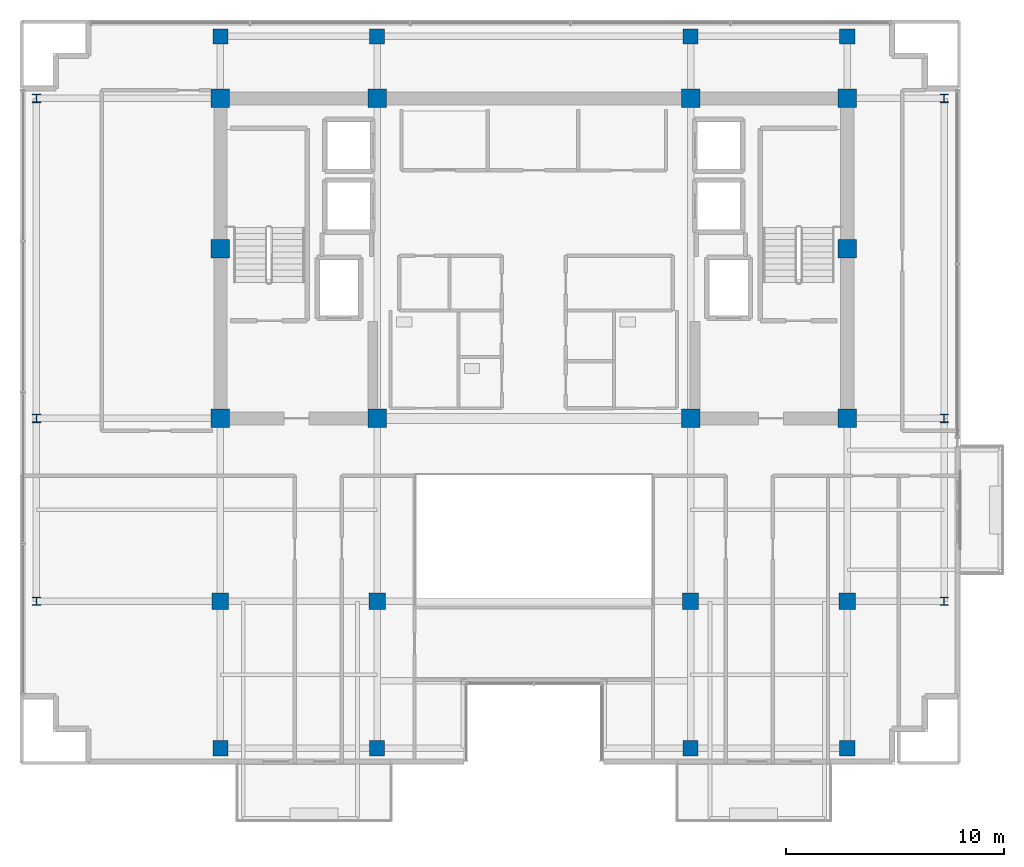
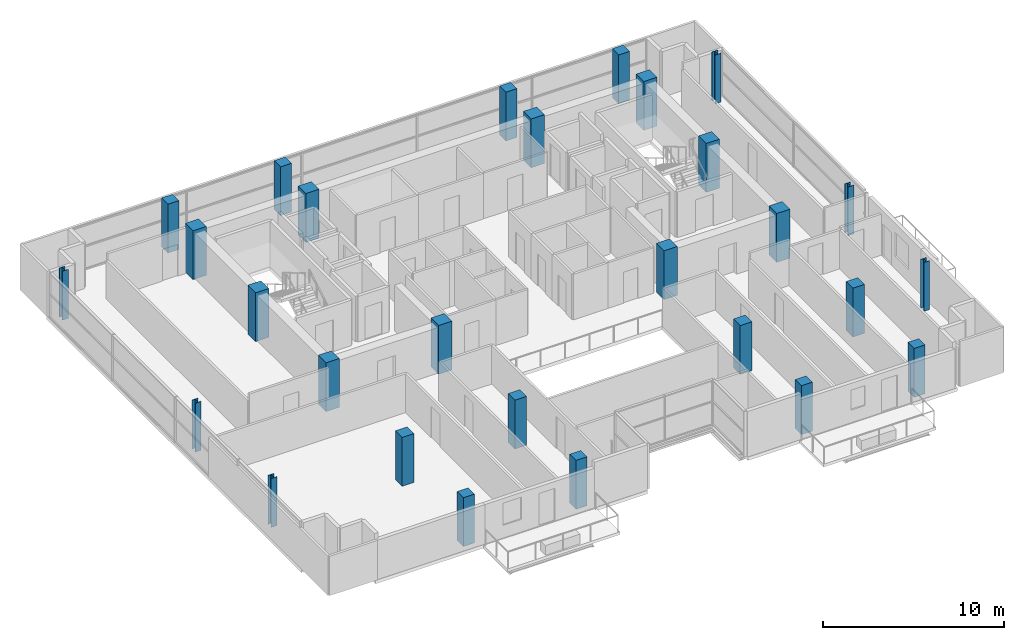
# One storey, part 1 of 22: 28 columns.
"""IFC4 building model written with IfcOpenShell, lengths in metres."""

from ifc_helpers import new_model, si_unit, direction, frame, origin, origin_2d, place, context, subcontext, project, spatial, rectangle, i_section, extrude, material, material_profile, profile_set, type_object, element, save


model = new_model("IFC4")

# Units and contexts
model_context = context("Model", 3, precision=1e-05, world=origin(), true_north=direction((0.0, 1.0)))
body_context = subcontext(model_context, "Body", "Model", "MODEL_VIEW")
ifc_project = project(units=[si_unit("LENGTHUNIT", "METRE"), si_unit("AREAUNIT", "SQUARE_METRE"), si_unit("VOLUMEUNIT", "CUBIC_METRE"), si_unit("PLANEANGLEUNIT", "RADIAN"), si_unit("MASSUNIT", "GRAM", prefix="KILO")], contexts=[model_context])

# Site, building, storey
site_placement = place(None, origin())
site = spatial("IfcSite", under=ifc_project, at=site_placement, CompositionType="ELEMENT")
building_placement = place(site_placement, origin())
building = spatial("IfcBuilding", under=site, at=building_placement, Name="Zarnakvel Exchange Tower", CompositionType="ELEMENT")
storey_placement = place(building_placement, frame((0.0, 0.0, 225.39990234375)))
storey = spatial("IfcBuildingStorey", under=building, at=storey_placement, Name="L63", CompositionType="ELEMENT", Elevation=225.39990234375)

# Columns
ifc_material_1 = material(Name="Concrete C50/60", Category="concrete")
ifc_material_profile_1 = material_profile(ifc_material_1, rectangle(XDim=0.85009765625, YDim=0.85009765625, at=origin_2d()))
ifc_profile_set_1 = profile_set([ifc_material_profile_1], Name="Concrete C50/60")
column_type_1 = type_object("IfcColumnType", Name="CC-03", PredefinedType="COLUMN", material=ifc_profile_set_1)
for number, where, z_axis, x_axis, name in (
    (1, (-14.39990234375, -1.199951171875, 0.0), (0.0, 0.0, 1.0), (1.0, 0.0, 0.0), "L63 Column C-4D (CC-03)"),
    (2, (-7.199951171875, -1.199951171875, 0.0), (0.0, 0.0, 1.0), (1.0, 0.0, 0.0), "L63 Column C-5D (CC-03)"),
    (3, (7.199951171875, -1.199951171875, 0.0), (0.0, 0.0, 1.0), (1.0, 0.0, 0.0), "L63 Column C-8D (CC-03)"),
    (4, (14.39990234375, -1.199951171875, 0.0), (0.0, 0.0, 1.0), (1.0, 0.0, 0.0), "L63 Column C-9D (CC-03)"),
    (5, (-14.39990234375, 6.60009765625, 0.0), (0.0, 0.0, 1.0), (1.0, 0.0, 0.0), "L63 Column C-4E (CC-03)"),
    (6, (14.39990234375, 6.60009765625, 0.0), (0.0, 0.0, 1.0), (1.0, 0.0, 0.0), "L63 Column C-9E (CC-03)"),
    (7, (-14.39990234375, 13.5, 0.0), (0.0, 0.0, 1.0), (1.0, 0.0, 0.0), "L63 Column C-4F (CC-03)"),
    (8, (-7.199951171875, 13.5, 0.0), (0.0, 0.0, 1.0), (1.0, 0.0, 0.0), "L63 Column C-5F (CC-03)"),
    (9, (7.199951171875, 13.5, 0.0), (0.0, 0.0, 1.0), (1.0, 0.0, 0.0), "L63 Column C-8F (CC-03)"),
    (10, (14.39990234375, 13.5, 0.0), (0.0, 0.0, 1.0), (1.0, 0.0, 0.0), "L63 Column C-9F (CC-03)"),
):
    element("IfcColumn", number, at=place(storey_placement, frame(where, z_axis=z_axis, x_axis=x_axis)), inside=storey, type_object=column_type_1, Name=name, PredefinedType="COLUMN", context=body_context, shape_type="SweptSolid", body=[
        extrude(rectangle(XDim=0.85009765625, YDim=0.85009765625, at=origin_2d()), origin(), (0.0, 0.0, 1.0), 3.300048828125),
    ])
ifc_material_2 = material(Name="Steel S355", Category="steel")
ifc_material_profile_2 = material_profile(ifc_material_2, i_section(OverallWidth=0.374755859375, OverallDepth=0.37451171875, WebThickness=0.0166015625, FlangeThickness=0.027099609375, FilletRadius=0.01513671875, at=origin_2d()))
ifc_profile_set_2 = profile_set([ifc_material_profile_2], Name="Steel S355")
column_type_2 = type_object("IfcColumnType", Name="SC-05", PredefinedType="COLUMN", material=ifc_profile_set_2)
for number, where, z_axis, x_axis, name in (
    (11, (-22.85009765625, -9.60009765625, 0.0), (0.0, 0.0, 1.0), (1.0, 0.0, 0.0), "L63 Column TW-C (SC-05)"),
    (12, (18.85009765625, -9.60009765625, 0.0), (0.0, 0.0, 1.0), (1.0, 0.0, 0.0), "L63 Column TE-C (SC-05)"),
    (13, (-22.85009765625, -1.199951171875, 0.0), (0.0, 0.0, 1.0), (1.0, 0.0, 0.0), "L63 Column TW-D (SC-05)"),
    (14, (18.85009765625, -1.199951171875, 0.0), (0.0, 0.0, 1.0), (1.0, 0.0, 0.0), "L63 Column TE-D (SC-05)"),
    (15, (-22.85009765625, 13.5, 0.0), (0.0, 0.0, 1.0), (1.0, 0.0, 0.0), "L63 Column TW-F (SC-05)"),
    (16, (18.85009765625, 13.5, 0.0), (0.0, 0.0, 1.0), (1.0, 0.0, 0.0), "L63 Column TE-F (SC-05)"),
):
    element("IfcColumn", number, at=place(storey_placement, frame(where, z_axis=z_axis, x_axis=x_axis)), inside=storey, type_object=column_type_2, Name=name, PredefinedType="COLUMN", context=body_context, shape_type="SweptSolid", body=[
        extrude(i_section(OverallWidth=0.374755859375, OverallDepth=0.37451171875, WebThickness=0.0166015625, FlangeThickness=0.027099609375, FilletRadius=0.01513671875, at=origin_2d()), origin(), (0.0, 0.0, 1.0), 3.300048828125),
    ])
ifc_material_profile_3 = material_profile(ifc_material_1, rectangle(XDim=0.75, YDim=0.75, at=origin_2d()))
ifc_profile_set_3 = profile_set([ifc_material_profile_3], Name="Concrete C50/60")
column_type_3 = type_object("IfcColumnType", Name="TC-04", PredefinedType="COLUMN", material=ifc_profile_set_3)
for number, where, z_axis, x_axis, name in (
    (17, (-14.39990234375, -9.60009765625, 0.0), (0.0, 0.0, 1.0), (1.0, 0.0, 0.0), "L63 Column T-4C (TC-04)"),
    (18, (-7.199951171875, -9.60009765625, 0.0), (0.0, 0.0, 1.0), (1.0, 0.0, 0.0), "L63 Column T-5C (TC-04)"),
    (19, (7.199951171875, -9.60009765625, 0.0), (0.0, 0.0, 1.0), (1.0, 0.0, 0.0), "L63 Column T-8C (TC-04)"),
    (20, (14.39990234375, -9.60009765625, 0.0), (0.0, 0.0, 1.0), (1.0, 0.0, 0.0), "L63 Column T-9C (TC-04)"),
):
    element("IfcColumn", number, at=place(storey_placement, frame(where, z_axis=z_axis, x_axis=x_axis)), inside=storey, type_object=column_type_3, Name=name, PredefinedType="COLUMN", context=body_context, shape_type="SweptSolid", body=[
        extrude(rectangle(XDim=0.75, YDim=0.75, at=origin_2d()), origin(), (0.0, 0.0, 1.0), 3.300048828125),
    ])
ifc_material_profile_4 = material_profile(ifc_material_1, rectangle(XDim=0.699951171875, YDim=0.699951171875, at=origin_2d()))
ifc_profile_set_4 = profile_set([ifc_material_profile_4], Name="Concrete C50/60")
column_type_4 = type_object("IfcColumnType", Name="TC-05", PredefinedType="COLUMN", material=ifc_profile_set_4)
for number, where, z_axis, x_axis, name in (
    (21, (-14.39990234375, -16.35009765625, 0.0), (0.0, 0.0, 1.0), (1.0, 0.0, 0.0), "L63 Column TS-4 (TC-05)"),
    (22, (-14.39990234375, 16.35009765625, 0.0), (0.0, 0.0, 1.0), (1.0, 0.0, 0.0), "L63 Column TN-4 (TC-05)"),
    (23, (-7.199951171875, -16.35009765625, 0.0), (0.0, 0.0, 1.0), (1.0, 0.0, 0.0), "L63 Column TS-5 (TC-05)"),
    (24, (-7.199951171875, 16.35009765625, 0.0), (0.0, 0.0, 1.0), (1.0, 0.0, 0.0), "L63 Column TN-5 (TC-05)"),
    (25, (7.199951171875, -16.35009765625, 0.0), (0.0, 0.0, 1.0), (1.0, 0.0, 0.0), "L63 Column TS-8 (TC-05)"),
    (26, (7.199951171875, 16.35009765625, 0.0), (0.0, 0.0, 1.0), (1.0, 0.0, 0.0), "L63 Column TN-8 (TC-05)"),
    (27, (14.39990234375, -16.35009765625, 0.0), (0.0, 0.0, 1.0), (1.0, 0.0, 0.0), "L63 Column TS-9 (TC-05)"),
    (28, (14.39990234375, 16.35009765625, 0.0), (0.0, 0.0, 1.0), (1.0, 0.0, 0.0), "L63 Column TN-9 (TC-05)"),
):
    element("IfcColumn", number, at=place(storey_placement, frame(where, z_axis=z_axis, x_axis=x_axis)), inside=storey, type_object=column_type_4, Name=name, PredefinedType="COLUMN", context=body_context, shape_type="SweptSolid", body=[
        extrude(rectangle(XDim=0.699951171875, YDim=0.699951171875, at=origin_2d()), origin(), (0.0, 0.0, 1.0), 3.300048828125),
    ])

save(model, "model.ifc")
